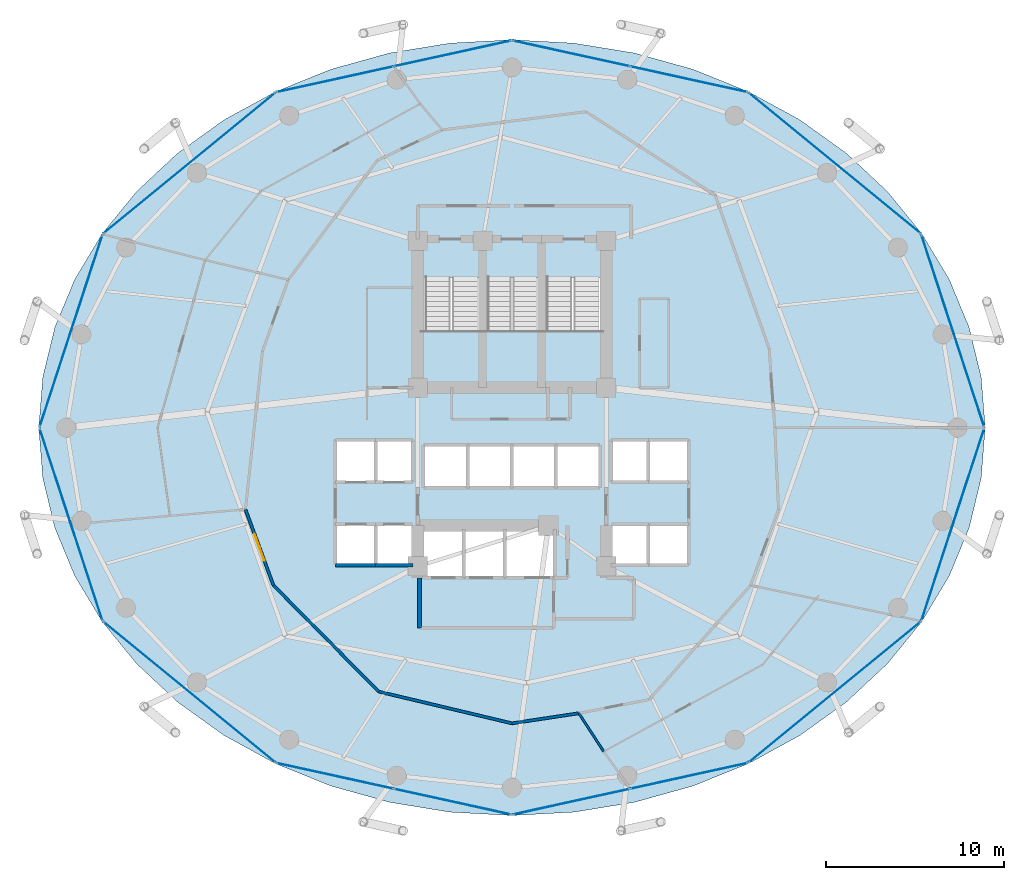
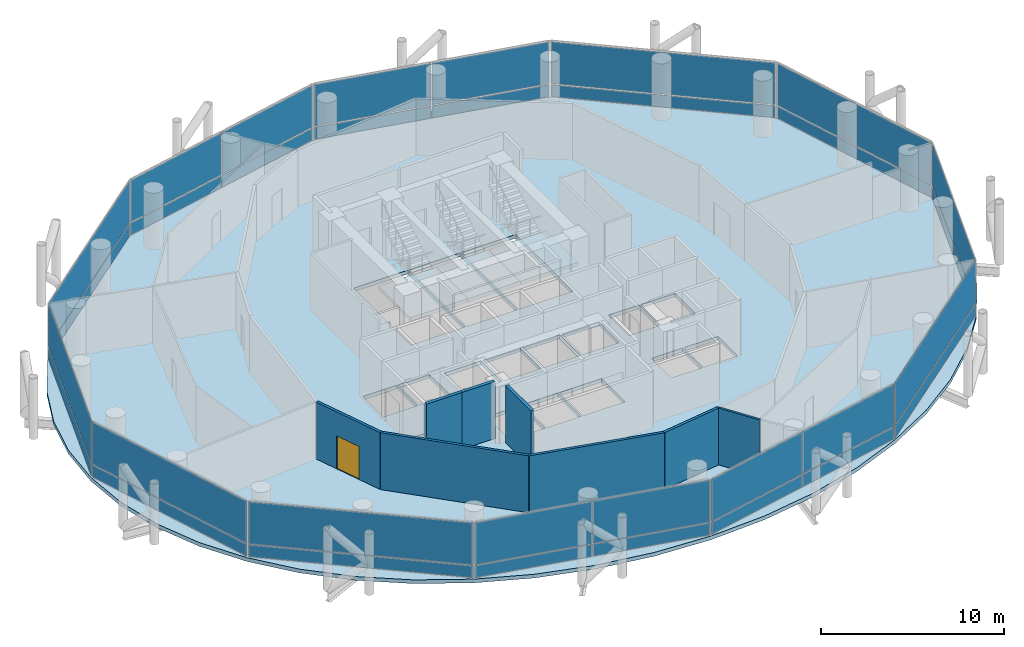
# One storey, part 20 of 24: 32 plates, 8 walls, 4 slabs, 1 door, 1 opening, 15 elements without a shape of their own.
"""IFC4 building model written with IfcOpenShell, lengths in metres."""

from ifc_helpers import new_model, si_unit, direction, frame, frame_2d, origin, origin_2d, place, context, subcontext, project, spatial, polyline, rectangle, outline, extrude, material, layer, layer_set, type_object, element, fill, aggregate, save


model = new_model("IFC4")

# Units and contexts
model_context = context("Model", 3, precision=1e-05, world=origin(), true_north=direction((0.0, 1.0)))
body_context = subcontext(model_context, "Body", "Model", "MODEL_VIEW")
ifc_project = project(units=[si_unit("LENGTHUNIT", "METRE"), si_unit("AREAUNIT", "SQUARE_METRE"), si_unit("VOLUMEUNIT", "CUBIC_METRE"), si_unit("PLANEANGLEUNIT", "RADIAN"), si_unit("MASSUNIT", "GRAM", prefix="KILO")], contexts=[model_context])

# Site, building, storey
site_placement = place(None, origin())
site = spatial("IfcSite", under=ifc_project, at=site_placement, CompositionType="ELEMENT")
building_placement = place(site_placement, origin())
building = spatial("IfcBuilding", under=site, at=building_placement, Name="Nuhasar Tower", CompositionType="ELEMENT")
storey_placement = place(building_placement, frame((0.0, 0.0, 89.85009765625)))
storey = spatial("IfcBuildingStorey", under=building, at=storey_placement, Name="L21", CompositionType="ELEMENT", Elevation=89.85009765625)

# Curtain wall, plate
ifc_material_1 = material(Name="Aluminium 6063-T6", Category="aluminium")
ifc_layer_1 = layer(ifc_material_1, 0.199951171875)
ifc_layer_set_1 = layer_set([ifc_layer_1], Name="Aluminium 6063-T6")
curtain_wall_type = type_object("IfcCurtainWallType", Name="CW-Z1-OFF", PredefinedType="NOTDEFINED", material=ifc_layer_set_1)
curtain_wall_1_placement = place(storey_placement, origin())
curtain_wall_1 = element("IfcCurtainWall", 1, at=curtain_wall_1_placement, inside=storey, type_object=curtain_wall_type, Name="L21 Unitised Curtain Wall 01", PredefinedType="NOTDEFINED")
ifc_material_2 = material(Name="Glass Double Low-E", Category="glass")
ifc_layer_2 = layer(ifc_material_2, 0.028076171875)
ifc_layer_set_2 = layer_set([ifc_layer_2], Name="Glass Double Low-E")
plate_type_1 = type_object("IfcPlateType", Name="CW-PANEL-GLZ", PredefinedType="CURTAIN_PANEL", material=ifc_layer_set_2)
plate_1_placement = place(storey_placement, frame((63.781005859375, 32.239990234375, 0.9326171875), z_axis=(0.0, 0.0, 1.0), x_axis=(-0.310823849997, 0.950467534571, 0.0)))
plate_1 = element("IfcPlate", 2, at=plate_1_placement, type_object=plate_type_1, Name="CW-Z1 panel 1.2", PredefinedType="CURTAIN_PANEL", context=body_context, shape_type="SweptSolid", body=[
    extrude(rectangle(XDim=11.31689453125, YDim=0.028076171875, at=origin_2d()), origin(), (0.0, 0.0, 1.0), 2.802490234375),
])

curtain_wall_2_placement = place(storey_placement, origin())
curtain_wall_2 = element("IfcCurtainWall", 3, at=curtain_wall_2_placement, inside=storey, type_object=curtain_wall_type, Name="L21 Unitised Curtain Wall 02", PredefinedType="NOTDEFINED")
plate_2_placement = place(storey_placement, frame((57.14111328125, 41.66259765625, 0.9326171875), z_axis=(0.0, 0.0, 1.0), x_axis=(-0.773542364946, 0.633744593376, 0.0)))
plate_2 = element("IfcPlate", 4, at=plate_2_placement, type_object=plate_type_1, Name="CW-Z1 panel 1.2", PredefinedType="CURTAIN_PANEL", context=body_context, shape_type="SweptSolid", body=[
    extrude(rectangle(XDim=12.438232421875, YDim=0.028076171875, at=origin_2d()), origin(), (0.0, 0.0, 1.0), 2.802490234375),
])

# Curtain wall, plates
curtain_wall_3_placement = place(storey_placement, origin())
curtain_wall_3 = element("IfcCurtainWall", 5, at=curtain_wall_3_placement, inside=storey, type_object=curtain_wall_type, Name="L21 Unitised Curtain Wall 03", PredefinedType="NOTDEFINED")
plate_3_placement = place(storey_placement, frame((48.944091796875, 46.377197265625, 0.9326171875), z_axis=(0.0, 0.0, 1.0), x_axis=(-0.976746221544, 0.214398737637, 0.0)))
plate_3 = element("IfcPlate", 6, at=plate_3_placement, type_object=plate_type_1, Name="CW-Z1 panel 1.2", PredefinedType="CURTAIN_PANEL", context=body_context, shape_type="SweptSolid", body=[
    extrude(rectangle(XDim=6.70068359375, YDim=0.028076171875, at=origin_2d()), origin(), (0.0, 0.0, 1.0), 2.802490234375),
])
plate_4_placement = place(storey_placement, frame((42.3359375, 47.827880859375, 0.9326171875), z_axis=(0.0, 0.0, 1.0), x_axis=(-0.976746221544, 0.214398737637, 0.0)))
plate_4 = element("IfcPlate", 7, at=plate_4_placement, type_object=plate_type_1, Name="CW-Z1 panel 2.2", PredefinedType="CURTAIN_PANEL", context=body_context, shape_type="SweptSolid", body=[
    extrude(rectangle(XDim=6.70068359375, YDim=0.028076171875, at=origin_2d()), origin(), (0.0, 0.0, 1.0), 2.802490234375),
])

curtain_wall_4_placement = place(storey_placement, origin())
curtain_wall_4 = element("IfcCurtainWall", 8, at=curtain_wall_4_placement, inside=storey, type_object=curtain_wall_type, Name="L21 Unitised Curtain Wall 04", PredefinedType="NOTDEFINED")
plate_5_placement = place(storey_placement, frame((35.6640625, 47.827880859375, 0.9326171875), z_axis=(0.0, 0.0, 1.0), x_axis=(-0.976746221544, -0.214398737637, 0.0)))
plate_5 = element("IfcPlate", 9, at=plate_5_placement, type_object=plate_type_1, Name="CW-Z1 panel 1.2", PredefinedType="CURTAIN_PANEL", context=body_context, shape_type="SweptSolid", body=[
    extrude(rectangle(XDim=6.70068359375, YDim=0.028076171875, at=origin_2d()), origin(), (0.0, 0.0, 1.0), 2.802490234375),
])
plate_6_placement = place(storey_placement, frame((29.055908203125, 46.377197265625, 0.9326171875), z_axis=(0.0, 0.0, 1.0), x_axis=(-0.976746221544, -0.214398737637, 0.0)))
plate_6 = element("IfcPlate", 10, at=plate_6_placement, type_object=plate_type_1, Name="CW-Z1 panel 2.2", PredefinedType="CURTAIN_PANEL", context=body_context, shape_type="SweptSolid", body=[
    extrude(rectangle(XDim=6.70068359375, YDim=0.028076171875, at=origin_2d()), origin(), (0.0, 0.0, 1.0), 2.802490234375),
])

# Curtain wall, plate
curtain_wall_5_placement = place(storey_placement, origin())
curtain_wall_5 = element("IfcCurtainWall", 11, at=curtain_wall_5_placement, inside=storey, type_object=curtain_wall_type, Name="L21 Unitised Curtain Wall 05", PredefinedType="NOTDEFINED")
plate_7_placement = place(storey_placement, frame((20.85888671875, 41.66259765625, 0.9326171875), z_axis=(0.0, 0.0, 1.0), x_axis=(-0.773542364946, -0.633744593376, 0.0)))
plate_7 = element("IfcPlate", 12, at=plate_7_placement, type_object=plate_type_1, Name="CW-Z1 panel 1.2", PredefinedType="CURTAIN_PANEL", context=body_context, shape_type="SweptSolid", body=[
    extrude(rectangle(XDim=12.438232421875, YDim=0.028076171875, at=origin_2d()), origin(), (0.0, 0.0, 1.0), 2.802490234375),
])

curtain_wall_6_placement = place(storey_placement, origin())
curtain_wall_6 = element("IfcCurtainWall", 13, at=curtain_wall_6_placement, inside=storey, type_object=curtain_wall_type, Name="L21 Unitised Curtain Wall 06", PredefinedType="NOTDEFINED")
plate_8_placement = place(storey_placement, frame((14.218994140625, 32.239990234375, 0.9326171875), z_axis=(0.0, 0.0, 1.0), x_axis=(-0.310823849997, -0.950467534571, 0.0)))
plate_8 = element("IfcPlate", 14, at=plate_8_placement, type_object=plate_type_1, Name="CW-Z1 panel 1.2", PredefinedType="CURTAIN_PANEL", context=body_context, shape_type="SweptSolid", body=[
    extrude(rectangle(XDim=11.31689453125, YDim=0.028076171875, at=origin_2d()), origin(), (0.0, 0.0, 1.0), 2.802490234375),
])

curtain_wall_7_placement = place(storey_placement, origin())
curtain_wall_7 = element("IfcCurtainWall", 15, at=curtain_wall_7_placement, inside=storey, type_object=curtain_wall_type, Name="L21 Unitised Curtain Wall 07", PredefinedType="NOTDEFINED")
plate_9_placement = place(storey_placement, frame((14.218994140625, 21.360107421875, 0.9326171875), z_axis=(0.0, 0.0, 1.0), x_axis=(0.310823849997, -0.950467534571, 0.0)))
plate_9 = element("IfcPlate", 16, at=plate_9_placement, type_object=plate_type_1, Name="CW-Z1 panel 1.2", PredefinedType="CURTAIN_PANEL", context=body_context, shape_type="SweptSolid", body=[
    extrude(rectangle(XDim=11.31689453125, YDim=0.028076171875, at=origin_2d()), origin(), (0.0, 0.0, 1.0), 2.802490234375),
])

curtain_wall_8_placement = place(storey_placement, origin())
curtain_wall_8 = element("IfcCurtainWall", 17, at=curtain_wall_8_placement, inside=storey, type_object=curtain_wall_type, Name="L21 Unitised Curtain Wall 08", PredefinedType="NOTDEFINED")
plate_10_placement = place(storey_placement, frame((20.85888671875, 11.9375, 0.9326171875), z_axis=(0.0, 0.0, 1.0), x_axis=(0.773542364946, -0.633744593376, 0.0)))
plate_10 = element("IfcPlate", 18, at=plate_10_placement, type_object=plate_type_1, Name="CW-Z1 panel 1.2", PredefinedType="CURTAIN_PANEL", context=body_context, shape_type="SweptSolid", body=[
    extrude(rectangle(XDim=12.438232421875, YDim=0.028076171875, at=origin_2d()), origin(), (0.0, 0.0, 1.0), 2.802490234375),
])

# Curtain wall, plates
curtain_wall_9_placement = place(storey_placement, origin())
curtain_wall_9 = element("IfcCurtainWall", 19, at=curtain_wall_9_placement, inside=storey, type_object=curtain_wall_type, Name="L21 Unitised Curtain Wall 09", PredefinedType="NOTDEFINED")
plate_11_placement = place(storey_placement, frame((29.055908203125, 7.22265625, 0.9326171875), z_axis=(0.0, 0.0, 1.0), x_axis=(0.976746221544, -0.214398737637, 0.0)))
plate_11 = element("IfcPlate", 20, at=plate_11_placement, type_object=plate_type_1, Name="CW-Z1 panel 1.2", PredefinedType="CURTAIN_PANEL", context=body_context, shape_type="SweptSolid", body=[
    extrude(rectangle(XDim=6.70068359375, YDim=0.028076171875, at=origin_2d()), origin(), (0.0, 0.0, 1.0), 2.802490234375),
])
plate_12_placement = place(storey_placement, frame((35.6640625, 5.772216796875, 0.9326171875), z_axis=(0.0, 0.0, 1.0), x_axis=(0.976746221544, -0.214398737637, 0.0)))
plate_12 = element("IfcPlate", 21, at=plate_12_placement, type_object=plate_type_1, Name="CW-Z1 panel 2.2", PredefinedType="CURTAIN_PANEL", context=body_context, shape_type="SweptSolid", body=[
    extrude(rectangle(XDim=6.70068359375, YDim=0.028076171875, at=origin_2d()), origin(), (0.0, 0.0, 1.0), 2.802490234375),
])

curtain_wall_10_placement = place(storey_placement, origin())
curtain_wall_10 = element("IfcCurtainWall", 22, at=curtain_wall_10_placement, inside=storey, type_object=curtain_wall_type, Name="L21 Unitised Curtain Wall 10", PredefinedType="NOTDEFINED")
plate_13_placement = place(storey_placement, frame((42.3359375, 5.772216796875, 0.9326171875), z_axis=(0.0, 0.0, 1.0), x_axis=(0.976746221544, 0.214398737637, 0.0)))
plate_13 = element("IfcPlate", 23, at=plate_13_placement, type_object=plate_type_1, Name="CW-Z1 panel 1.2", PredefinedType="CURTAIN_PANEL", context=body_context, shape_type="SweptSolid", body=[
    extrude(rectangle(XDim=6.70068359375, YDim=0.028076171875, at=origin_2d()), origin(), (0.0, 0.0, 1.0), 2.802490234375),
])
plate_14_placement = place(storey_placement, frame((48.944091796875, 7.22265625, 0.9326171875), z_axis=(0.0, 0.0, 1.0), x_axis=(0.976746221544, 0.214398737637, 0.0)))
plate_14 = element("IfcPlate", 24, at=plate_14_placement, type_object=plate_type_1, Name="CW-Z1 panel 2.2", PredefinedType="CURTAIN_PANEL", context=body_context, shape_type="SweptSolid", body=[
    extrude(rectangle(XDim=6.70068359375, YDim=0.028076171875, at=origin_2d()), origin(), (0.0, 0.0, 1.0), 2.802490234375),
])

# Curtain wall, plate
curtain_wall_11_placement = place(storey_placement, origin())
curtain_wall_11 = element("IfcCurtainWall", 25, at=curtain_wall_11_placement, inside=storey, type_object=curtain_wall_type, Name="L21 Unitised Curtain Wall 11", PredefinedType="NOTDEFINED")
plate_15_placement = place(storey_placement, frame((57.14111328125, 11.9375, 0.9326171875), z_axis=(0.0, 0.0, 1.0), x_axis=(0.773542364946, 0.633744593376, 0.0)))
plate_15 = element("IfcPlate", 26, at=plate_15_placement, type_object=plate_type_1, Name="CW-Z1 panel 1.2", PredefinedType="CURTAIN_PANEL", context=body_context, shape_type="SweptSolid", body=[
    extrude(rectangle(XDim=12.438232421875, YDim=0.028076171875, at=origin_2d()), origin(), (0.0, 0.0, 1.0), 2.802490234375),
])

curtain_wall_12_placement = place(storey_placement, origin())
curtain_wall_12 = element("IfcCurtainWall", 27, at=curtain_wall_12_placement, inside=storey, type_object=curtain_wall_type, Name="L21 Unitised Curtain Wall 12", PredefinedType="NOTDEFINED")
plate_16_placement = place(storey_placement, frame((63.781005859375, 21.360107421875, 0.9326171875), z_axis=(0.0, 0.0, 1.0), x_axis=(0.310823849997, 0.950467534571, 0.0)))
plate_16 = element("IfcPlate", 28, at=plate_16_placement, type_object=plate_type_1, Name="CW-Z1 panel 1.2", PredefinedType="CURTAIN_PANEL", context=body_context, shape_type="SweptSolid", body=[
    extrude(rectangle(XDim=11.31689453125, YDim=0.028076171875, at=origin_2d()), origin(), (0.0, 0.0, 1.0), 2.802490234375),
])

# Plate
ifc_material_3 = material(Name="Glass Spandrel", Category="glass")
ifc_layer_3 = layer(ifc_material_3, 0.035888671875)
ifc_layer_set_3 = layer_set([ifc_layer_3], Name="Glass Spandrel")
plate_type_2 = type_object("IfcPlateType", Name="CW-PANEL-SPN", PredefinedType="CURTAIN_PANEL", material=ifc_layer_set_3)
plate_17_placement = place(storey_placement, frame((63.781005859375, 32.239990234375, 0.06494140625), z_axis=(0.0, 0.0, 1.0), x_axis=(-0.310823849997, 0.950467534571, 0.0)))
plate_17 = element("IfcPlate", 29, at=plate_17_placement, type_object=plate_type_2, Name="CW-Z1 panel 1.1", PredefinedType="CURTAIN_PANEL", context=body_context, shape_type="SweptSolid", body=[
    extrude(rectangle(XDim=11.31689453125, YDim=0.035888671875, at=origin_2d()), origin(), (0.0, 0.0, 1.0), 0.802490234375),
])

aggregate(curtain_wall_1, [plate_17, plate_1])

plate_18_placement = place(storey_placement, frame((57.14111328125, 41.66259765625, 0.06494140625), z_axis=(0.0, 0.0, 1.0), x_axis=(-0.773542364946, 0.633744593376, 0.0)))
plate_18 = element("IfcPlate", 30, at=plate_18_placement, type_object=plate_type_2, Name="CW-Z1 panel 1.1", PredefinedType="CURTAIN_PANEL", context=body_context, shape_type="SweptSolid", body=[
    extrude(rectangle(XDim=12.438232421875, YDim=0.035888671875, at=origin_2d()), origin(), (0.0, 0.0, 1.0), 0.802490234375),
])

aggregate(curtain_wall_2, [plate_18, plate_2])

plate_19_placement = place(storey_placement, frame((48.944091796875, 46.377197265625, 0.06494140625), z_axis=(0.0, 0.0, 1.0), x_axis=(-0.976746221544, 0.214398737637, 0.0)))
plate_19 = element("IfcPlate", 31, at=plate_19_placement, type_object=plate_type_2, Name="CW-Z1 panel 1.1", PredefinedType="CURTAIN_PANEL", context=body_context, shape_type="SweptSolid", body=[
    extrude(rectangle(XDim=6.70068359375, YDim=0.035888671875, at=origin_2d()), origin(), (0.0, 0.0, 1.0), 0.802490234375),
])

plate_20_placement = place(storey_placement, frame((42.3359375, 47.827880859375, 0.06494140625), z_axis=(0.0, 0.0, 1.0), x_axis=(-0.976746221544, 0.214398737637, 0.0)))
plate_20 = element("IfcPlate", 32, at=plate_20_placement, type_object=plate_type_2, Name="CW-Z1 panel 2.1", PredefinedType="CURTAIN_PANEL", context=body_context, shape_type="SweptSolid", body=[
    extrude(rectangle(XDim=6.70068359375, YDim=0.035888671875, at=origin_2d()), origin(), (0.0, 0.0, 1.0), 0.802490234375),
])

aggregate(curtain_wall_3, [plate_19, plate_3, plate_20, plate_4])

plate_21_placement = place(storey_placement, frame((35.6640625, 47.827880859375, 0.06494140625), z_axis=(0.0, 0.0, 1.0), x_axis=(-0.976746221544, -0.214398737637, 0.0)))
plate_21 = element("IfcPlate", 33, at=plate_21_placement, type_object=plate_type_2, Name="CW-Z1 panel 1.1", PredefinedType="CURTAIN_PANEL", context=body_context, shape_type="SweptSolid", body=[
    extrude(rectangle(XDim=6.70068359375, YDim=0.035888671875, at=origin_2d()), origin(), (0.0, 0.0, 1.0), 0.802490234375),
])

plate_22_placement = place(storey_placement, frame((29.055908203125, 46.377197265625, 0.06494140625), z_axis=(0.0, 0.0, 1.0), x_axis=(-0.976746221544, -0.214398737637, 0.0)))
plate_22 = element("IfcPlate", 34, at=plate_22_placement, type_object=plate_type_2, Name="CW-Z1 panel 2.1", PredefinedType="CURTAIN_PANEL", context=body_context, shape_type="SweptSolid", body=[
    extrude(rectangle(XDim=6.70068359375, YDim=0.035888671875, at=origin_2d()), origin(), (0.0, 0.0, 1.0), 0.802490234375),
])

aggregate(curtain_wall_4, [plate_21, plate_5, plate_22, plate_6])

plate_23_placement = place(storey_placement, frame((20.85888671875, 41.66259765625, 0.06494140625), z_axis=(0.0, 0.0, 1.0), x_axis=(-0.773542364946, -0.633744593376, 0.0)))
plate_23 = element("IfcPlate", 35, at=plate_23_placement, type_object=plate_type_2, Name="CW-Z1 panel 1.1", PredefinedType="CURTAIN_PANEL", context=body_context, shape_type="SweptSolid", body=[
    extrude(rectangle(XDim=12.438232421875, YDim=0.035888671875, at=origin_2d()), origin(), (0.0, 0.0, 1.0), 0.802490234375),
])

aggregate(curtain_wall_5, [plate_23, plate_7])

plate_24_placement = place(storey_placement, frame((14.218994140625, 32.239990234375, 0.06494140625), z_axis=(0.0, 0.0, 1.0), x_axis=(-0.310823849997, -0.950467534571, 0.0)))
plate_24 = element("IfcPlate", 36, at=plate_24_placement, type_object=plate_type_2, Name="CW-Z1 panel 1.1", PredefinedType="CURTAIN_PANEL", context=body_context, shape_type="SweptSolid", body=[
    extrude(rectangle(XDim=11.31689453125, YDim=0.035888671875, at=origin_2d()), origin(), (0.0, 0.0, 1.0), 0.802490234375),
])

aggregate(curtain_wall_6, [plate_24, plate_8])

plate_25_placement = place(storey_placement, frame((14.218994140625, 21.360107421875, 0.06494140625), z_axis=(0.0, 0.0, 1.0), x_axis=(0.310823849997, -0.950467534571, 0.0)))
plate_25 = element("IfcPlate", 37, at=plate_25_placement, type_object=plate_type_2, Name="CW-Z1 panel 1.1", PredefinedType="CURTAIN_PANEL", context=body_context, shape_type="SweptSolid", body=[
    extrude(rectangle(XDim=11.31689453125, YDim=0.035888671875, at=origin_2d()), origin(), (0.0, 0.0, 1.0), 0.802490234375),
])

aggregate(curtain_wall_7, [plate_25, plate_9])

plate_26_placement = place(storey_placement, frame((20.85888671875, 11.9375, 0.06494140625), z_axis=(0.0, 0.0, 1.0), x_axis=(0.773542364946, -0.633744593376, 0.0)))
plate_26 = element("IfcPlate", 38, at=plate_26_placement, type_object=plate_type_2, Name="CW-Z1 panel 1.1", PredefinedType="CURTAIN_PANEL", context=body_context, shape_type="SweptSolid", body=[
    extrude(rectangle(XDim=12.438232421875, YDim=0.035888671875, at=origin_2d()), origin(), (0.0, 0.0, 1.0), 0.802490234375),
])

aggregate(curtain_wall_8, [plate_26, plate_10])

plate_27_placement = place(storey_placement, frame((29.055908203125, 7.22265625, 0.06494140625), z_axis=(0.0, 0.0, 1.0), x_axis=(0.976746221544, -0.214398737637, 0.0)))
plate_27 = element("IfcPlate", 39, at=plate_27_placement, type_object=plate_type_2, Name="CW-Z1 panel 1.1", PredefinedType="CURTAIN_PANEL", context=body_context, shape_type="SweptSolid", body=[
    extrude(rectangle(XDim=6.70068359375, YDim=0.035888671875, at=origin_2d()), origin(), (0.0, 0.0, 1.0), 0.802490234375),
])

plate_28_placement = place(storey_placement, frame((35.6640625, 5.772216796875, 0.06494140625), z_axis=(0.0, 0.0, 1.0), x_axis=(0.976746221544, -0.214398737637, 0.0)))
plate_28 = element("IfcPlate", 40, at=plate_28_placement, type_object=plate_type_2, Name="CW-Z1 panel 2.1", PredefinedType="CURTAIN_PANEL", context=body_context, shape_type="SweptSolid", body=[
    extrude(rectangle(XDim=6.70068359375, YDim=0.035888671875, at=origin_2d()), origin(), (0.0, 0.0, 1.0), 0.802490234375),
])

aggregate(curtain_wall_9, [plate_27, plate_11, plate_28, plate_12])

plate_29_placement = place(storey_placement, frame((42.3359375, 5.772216796875, 0.06494140625), z_axis=(0.0, 0.0, 1.0), x_axis=(0.976746221544, 0.214398737637, 0.0)))
plate_29 = element("IfcPlate", 41, at=plate_29_placement, type_object=plate_type_2, Name="CW-Z1 panel 1.1", PredefinedType="CURTAIN_PANEL", context=body_context, shape_type="SweptSolid", body=[
    extrude(rectangle(XDim=6.70068359375, YDim=0.035888671875, at=origin_2d()), origin(), (0.0, 0.0, 1.0), 0.802490234375),
])

plate_30_placement = place(storey_placement, frame((48.944091796875, 7.22265625, 0.06494140625), z_axis=(0.0, 0.0, 1.0), x_axis=(0.976746221544, 0.214398737637, 0.0)))
plate_30 = element("IfcPlate", 42, at=plate_30_placement, type_object=plate_type_2, Name="CW-Z1 panel 2.1", PredefinedType="CURTAIN_PANEL", context=body_context, shape_type="SweptSolid", body=[
    extrude(rectangle(XDim=6.70068359375, YDim=0.035888671875, at=origin_2d()), origin(), (0.0, 0.0, 1.0), 0.802490234375),
])

aggregate(curtain_wall_10, [plate_29, plate_13, plate_30, plate_14])

plate_31_placement = place(storey_placement, frame((57.14111328125, 11.9375, 0.06494140625), z_axis=(0.0, 0.0, 1.0), x_axis=(0.773542364946, 0.633744593376, 0.0)))
plate_31 = element("IfcPlate", 43, at=plate_31_placement, type_object=plate_type_2, Name="CW-Z1 panel 1.1", PredefinedType="CURTAIN_PANEL", context=body_context, shape_type="SweptSolid", body=[
    extrude(rectangle(XDim=12.438232421875, YDim=0.035888671875, at=origin_2d()), origin(), (0.0, 0.0, 1.0), 0.802490234375),
])

aggregate(curtain_wall_11, [plate_31, plate_15])

plate_32_placement = place(storey_placement, frame((63.781005859375, 21.360107421875, 0.06494140625), z_axis=(0.0, 0.0, 1.0), x_axis=(0.310823849997, 0.950467534571, 0.0)))
plate_32 = element("IfcPlate", 44, at=plate_32_placement, type_object=plate_type_2, Name="CW-Z1 panel 1.1", PredefinedType="CURTAIN_PANEL", context=body_context, shape_type="SweptSolid", body=[
    extrude(rectangle(XDim=11.31689453125, YDim=0.035888671875, at=origin_2d()), origin(), (0.0, 0.0, 1.0), 0.802490234375),
])

aggregate(curtain_wall_12, [plate_32, plate_16])

# Stair, slab
ifc_material_4 = material(Name="Concrete C45/55", Category="concrete")
stair_type_1 = type_object("IfcStairType", Name="STR-ST-01-2F-24R-1688", PredefinedType="HALF_TURN_STAIR", material=ifc_material_4)
stair_1_placement = place(storey_placement, origin())
stair_1 = element("IfcStair", 45, at=stair_1_placement, inside=storey, type_object=stair_type_1, Name="L21 Exit Stair ST-01", PredefinedType="HALF_TURN_STAIR")
ifc_layer_4 = layer(ifc_material_4, 0.239990234375)
ifc_layer_set_4 = layer_set([ifc_layer_4], Name="Concrete C45/55")
slab_type_1 = type_object("IfcSlabType", Name="SLB-STAIR-LND-240", PredefinedType="LANDING", material=ifc_layer_set_4)
slab_1_placement = place(storey_placement, frame((0.0, 0.0, 1.784912109375)))
slab_1 = element("IfcSlab", 46, at=slab_1_placement, type_object=slab_type_1, Name="ST-01 landing 1", PredefinedType="LANDING", context=body_context, shape_type="SweptSolid", body=[
    extrude(outline(polyline([(33.699951171875, 28.75), (37.35009765625, 28.75), (37.35009765625, 32.239990234375), (33.699951171875, 32.239990234375), (33.699951171875, 28.75)])), origin(), (0.0, 0.0, 1.0), 0.239990234375),
])
aggregate(stair_1, [slab_1])

stair_type_2 = type_object("IfcStairType", Name="STR-ST-03-2F-24R-1688", PredefinedType="HALF_TURN_STAIR", material=ifc_material_4)
stair_2_placement = place(storey_placement, origin())
stair_2 = element("IfcStair", 47, at=stair_2_placement, inside=storey, type_object=stair_type_2, Name="L21 Exit Stair ST-03", PredefinedType="HALF_TURN_STAIR")
slab_2_placement = place(storey_placement, frame((0.0, 0.0, 1.784912109375)))
slab_2 = element("IfcSlab", 48, at=slab_2_placement, type_object=slab_type_1, Name="ST-03 landing 1", PredefinedType="LANDING", context=body_context, shape_type="SweptSolid", body=[
    extrude(outline(polyline([(37.35009765625, 28.75), (40.64990234375, 28.75), (40.64990234375, 32.239990234375), (37.35009765625, 32.239990234375), (37.35009765625, 28.75)])), origin(), (0.0, 0.0, 1.0), 0.239990234375),
])
aggregate(stair_2, [slab_2])

stair_type_3 = type_object("IfcStairType", Name="STR-ST-02-2F-24R-1688", PredefinedType="HALF_TURN_STAIR", material=ifc_material_4)
stair_3_placement = place(storey_placement, origin())
stair_3 = element("IfcStair", 49, at=stair_3_placement, inside=storey, type_object=stair_type_3, Name="L21 Exit Stair ST-02", PredefinedType="HALF_TURN_STAIR")
slab_3_placement = place(storey_placement, frame((0.0, 0.0, 1.784912109375)))
slab_3 = element("IfcSlab", 50, at=slab_3_placement, type_object=slab_type_1, Name="ST-02 landing 1", PredefinedType="LANDING", context=body_context, shape_type="SweptSolid", body=[
    extrude(outline(polyline([(40.64990234375, 28.75), (44.300048828125, 28.75), (44.300048828125, 32.239990234375), (40.64990234375, 32.239990234375), (40.64990234375, 28.75)])), origin(), (0.0, 0.0, 1.0), 0.239990234375),
])
aggregate(stair_3, [slab_3])

# Slab
ifc_layer_5 = layer(ifc_material_4, 0.25)
ifc_layer_set_5 = layer_set([ifc_layer_5], Name="Concrete C45/55")
slab_type_2 = type_object("IfcSlabType", Name="SLB-Z1B-250", PredefinedType="FLOOR", material=ifc_layer_set_5)
slab_4_placement = place(storey_placement, frame((0.0, 0.0, -0.25)))
element("IfcSlab", 51, at=slab_4_placement, inside=storey, type_object=slab_type_2, Name="L21 Structural Slab", PredefinedType="FLOOR", context=body_context, shape_type="SweptSolid", body=[
    extrude(outline(polyline([(65.60009765625, 26.800048828125), (65.3720703125, 29.64501953125), (64.694091796875, 32.44189453125), (63.574951171875, 35.14208984375), (62.035888671875, 37.699951171875), (60.10302734375, 40.071044921875), (57.80908203125, 42.215087890625), (55.193115234375, 44.094970703125), (52.300048828125, 45.678955078125), (49.178955078125, 46.94091796875), (45.885009765625, 47.85693359375), (42.471923828125, 48.4130859375), (39.0, 48.60009765625), (35.528076171875, 48.4130859375), (32.114990234375, 47.85693359375), (28.821044921875, 46.94091796875), (25.699951171875, 45.678955078125), (22.806884765625, 44.094970703125), (20.19091796875, 42.215087890625), (17.89697265625, 40.071044921875), (15.964111328125, 37.699951171875), (14.425048828125, 35.14208984375), (13.305908203125, 32.44189453125), (12.6279296875, 29.64501953125), (12.39990234375, 26.800048828125), (12.6279296875, 23.955078125), (13.305908203125, 21.157958984375), (14.425048828125, 18.4580078125), (15.964111328125, 15.89990234375), (17.89697265625, 13.529052734375), (20.19091796875, 11.385009765625), (22.806884765625, 9.5048828125), (25.699951171875, 7.9208984375), (28.821044921875, 6.658935546875), (32.114990234375, 5.742919921875), (35.528076171875, 5.18701171875), (39.0, 5.0), (42.471923828125, 5.18701171875), (45.885009765625, 5.742919921875), (49.178955078125, 6.658935546875), (52.300048828125, 7.9208984375), (55.193115234375, 9.5048828125), (57.80908203125, 11.385009765625), (60.10302734375, 13.529052734375), (62.035888671875, 15.89990234375), (63.574951171875, 18.4580078125), (64.694091796875, 21.157958984375), (65.3720703125, 23.955078125), (65.60009765625, 26.800048828125)]), holes=[polyline([(33.8798828125, 35.25), (37.300048828125, 35.25), (37.300048828125, 29.0), (33.8798828125, 29.0), (33.8798828125, 35.25)]), polyline([(37.39990234375, 35.25), (40.60009765625, 35.25), (40.60009765625, 29.0), (37.39990234375, 29.0), (37.39990234375, 35.25)]), polyline([(40.699951171875, 35.25), (44.1201171875, 35.25), (44.1201171875, 29.0), (40.699951171875, 29.0), (40.699951171875, 35.25)]), polyline([(29.14990234375, 26.050048828125), (31.300048828125, 26.050048828125), (31.300048828125, 23.800048828125), (29.14990234375, 23.800048828125), (29.14990234375, 26.050048828125)]), polyline([(31.39990234375, 26.050048828125), (33.35009765625, 26.050048828125), (33.35009765625, 23.800048828125), (31.39990234375, 23.800048828125), (31.39990234375, 26.050048828125)]), polyline([(29.14990234375, 21.300048828125), (31.300048828125, 21.300048828125), (31.300048828125, 19.14990234375), (29.14990234375, 19.14990234375), (29.14990234375, 21.300048828125)]), polyline([(31.39990234375, 21.300048828125), (33.35009765625, 21.300048828125), (33.35009765625, 19.14990234375), (31.39990234375, 19.14990234375), (31.39990234375, 21.300048828125)]), polyline([(44.64990234375, 26.050048828125), (46.60009765625, 26.050048828125), (46.60009765625, 23.800048828125), (44.64990234375, 23.800048828125), (44.64990234375, 26.050048828125)]), polyline([(46.699951171875, 26.050048828125), (48.85009765625, 26.050048828125), (48.85009765625, 23.800048828125), (46.699951171875, 23.800048828125), (46.699951171875, 26.050048828125)]), polyline([(44.64990234375, 21.300048828125), (46.60009765625, 21.300048828125), (46.60009765625, 19.14990234375), (44.64990234375, 19.14990234375), (44.64990234375, 21.300048828125)]), polyline([(46.699951171875, 21.300048828125), (48.85009765625, 21.300048828125), (48.85009765625, 19.14990234375), (46.699951171875, 19.14990234375), (46.699951171875, 21.300048828125)]), polyline([(34.10009765625, 25.75), (36.43994140625, 25.75), (36.43994140625, 23.5), (34.10009765625, 23.5), (34.10009765625, 25.75)]), polyline([(36.580078125, 25.75), (38.919921875, 25.75), (38.919921875, 23.5), (36.580078125, 23.5), (36.580078125, 25.75)]), polyline([(39.06005859375, 25.75), (41.39990234375, 25.75), (41.39990234375, 23.5), (39.06005859375, 23.5), (39.06005859375, 25.75)]), polyline([(41.5400390625, 25.75), (43.8798828125, 25.75), (43.8798828125, 23.5), (41.5400390625, 23.5), (41.5400390625, 25.75)]), polyline([(34.050048828125, 21.0), (36.25, 21.0), (36.25, 18.449951171875), (34.050048828125, 18.449951171875), (34.050048828125, 21.0)]), polyline([(36.35009765625, 21.0), (38.550048828125, 21.0), (38.550048828125, 18.449951171875), (36.35009765625, 18.449951171875), (36.35009765625, 21.0)]), polyline([(38.64990234375, 21.0), (41.320068359375, 21.0), (41.320068359375, 18.449951171875), (38.64990234375, 18.449951171875), (38.64990234375, 21.0)])]), origin(), (0.0, 0.0, 1.0), 0.25),
])

# Wall, opening, door
ifc_material_5 = material(Name="Gypsum Board", Category="gypsum")
ifc_layer_6 = layer(ifc_material_5, 0.159912109375)
ifc_layer_set_6 = layer_set([ifc_layer_6], Name="Gypsum Board")
wall_type_1 = type_object("IfcWallType", Name="WL-CORR-160", PredefinedType="PARTITIONING", material=ifc_layer_set_6)
wall_1_placement = place(storey_placement, frame((25.591064453125, 17.93896484375, 0.0), z_axis=(0.0, 0.0, 1.0), x_axis=(-0.345762592588, 0.938322028712, 0.0)))
wall_1 = element("IfcWall", 52, at=wall_1_placement, inside=storey, type_object=wall_type_1, Name="L21 Interior Partition CORR-26", PredefinedType="PARTITIONING", context=body_context, shape_type="SweptSolid", body=[
    extrude(rectangle(XDim=4.546630859375, YDim=0.159912109375, at=frame_2d((2.2734375, 0.0))), origin(), (0.0, 0.0, 1.0), 3.7998046875),
])
opening_placement = place(wall_1_placement, frame((1.472900390625, 0.0, 0.0)))
opening = element("IfcOpeningElement", 53, at=opening_placement, cuts=wall_1, Name="Opening DC-01", PredefinedType="OPENING", context=body_context, shape_type="SweptSolid", body=[
    extrude(rectangle(XDim=1.60009765625, YDim=2.199951171875, at=frame_2d((0.800048828125, 1.10009765625))), frame((0.0, 0.08984375, 0.0), z_axis=(0.0, -1.0, 0.0), x_axis=(1.0, 0.0, 0.0)), (0.0, 0.0, 1.0), 0.179931640625),
])
ifc_material_6 = material(Name="Steel S355", Category="steel")
door_type = type_object("IfcDoorType", Name="DR-CORR-FD60-1600", OperationType="DOUBLE_DOOR_SINGLE_SWING", PredefinedType="DOOR", material=ifc_material_6)
door_placement = place(opening_placement, origin())
door = element("IfcDoor", 54, at=door_placement, inside=storey, type_object=door_type, Name="L21 Consular Operations Hall Entry Door", OperationType="DOUBLE_DOOR_SINGLE_SWING", OverallHeight=2.199951171875, OverallWidth=1.60009765625, PredefinedType="DOOR", context=body_context, shape_type="SweptSolid", body=[
    extrude(rectangle(XDim=1.60009765625, YDim=2.199951171875, at=frame_2d((0.800048828125, 1.10009765625))), frame((0.0, 0.02490234375, 0.0), z_axis=(0.0, -1.0, 0.0), x_axis=(1.0, 0.0, 0.0)), (0.0, 0.0, 1.0), 0.050048828125),
])
fill(opening, door)

# Walls
wall_2_placement = place(storey_placement, frame((25.591064453125, 17.93896484375, 0.0), z_axis=(0.0, 0.0, 1.0), x_axis=(0.703879427374, -0.71031947159, 0.0)))
element("IfcWall", 55, at=wall_2_placement, inside=storey, type_object=wall_type_1, Name="L21 Interior Partition CORR-28", PredefinedType="PARTITIONING", context=body_context, shape_type="SweptSolid", body=[
    extrude(rectangle(XDim=8.416015625, YDim=0.159912109375, at=frame_2d((4.2080078125, 0.0))), origin(), (0.0, 0.0, 1.0), 3.7998046875),
])
wall_3_placement = place(storey_placement, frame((31.514892578125, 11.9609375, 0.0), z_axis=(0.0, 0.0, 1.0), x_axis=(0.972840250297, -0.231477531097, 0.0)))
element("IfcWall", 56, at=wall_3_placement, inside=storey, type_object=wall_type_1, Name="L21 Interior Partition CORR-32", PredefinedType="PARTITIONING", context=body_context, shape_type="SweptSolid", body=[
    extrude(rectangle(XDim=7.694091796875, YDim=0.159912109375, at=frame_2d((3.84716796875, 0.0))), origin(), (0.0, 0.0, 1.0), 3.7998046875),
])
wall_4_placement = place(storey_placement, frame((39.0, 10.179931640625, 0.0), z_axis=(0.0, 0.0, 1.0), x_axis=(0.988841440964, 0.148971824959, 0.0)))
element("IfcWall", 57, at=wall_4_placement, inside=storey, type_object=wall_type_1, Name="L21 Interior Partition CORR-36", PredefinedType="PARTITIONING", context=body_context, shape_type="SweptSolid", body=[
    extrude(rectangle(XDim=3.800537109375, YDim=0.159912109375, at=frame_2d((1.900390625, 0.0))), origin(), (0.0, 0.0, 1.0), 3.7998046875),
])
ifc_layer_7 = layer(ifc_material_4, 0.199951171875)
ifc_layer_set_7 = layer_set([ifc_layer_7], Name="Concrete C45/55")
wall_type_2 = type_object("IfcWallType", Name="WL-LOBBY-200", PredefinedType="SOLIDWALL", material=ifc_layer_set_7)
wall_5_placement = place(storey_placement, frame((33.800048828125, 15.550048828125, 0.0), z_axis=(0.0, 0.0, 1.0), x_axis=(0.0, 1.0, 0.0)))
element("IfcWall", 58, at=wall_5_placement, inside=storey, type_object=wall_type_2, Name="L21 Interior Partition FFL-W", PredefinedType="SOLIDWALL", context=body_context, shape_type="SweptSolid", body=[
    extrude(rectangle(XDim=2.800048828125, YDim=0.199951171875, at=frame_2d((1.39990234375, 0.0))), origin(), (0.0, 0.0, 1.0), 3.7998046875),
])
ifc_layer_8 = layer(ifc_material_5, 0.125)
ifc_layer_set_8 = layer_set([ifc_layer_8], Name="Gypsum Board")
wall_type_3 = type_object("IfcWallType", Name="WL-PART-125", PredefinedType="PARTITIONING", material=ifc_layer_set_8)
wall_6_placement = place(storey_placement, frame((42.758056640625, 10.74609375, 0.0), z_axis=(0.0, 0.0, 1.0), x_axis=(0.545165828581, -0.838328228886, 0.0)))
element("IfcWall", 59, at=wall_6_placement, inside=storey, type_object=wall_type_3, Name="L21 Interior Partition ORAD-38-S1", PredefinedType="PARTITIONING", context=body_context, shape_type="SweptSolid", body=[
    extrude(rectangle(XDim=2.5625, YDim=0.125, at=frame_2d((1.28125, 0.0))), origin(), (0.0, 0.0, 1.0), 3.7998046875),
])
ifc_layer_9 = layer(ifc_material_4, 0.199951171875)
ifc_layer_set_9 = layer_set([ifc_layer_9], Name="Concrete C45/55")
wall_type_4 = type_object("IfcWallType", Name="WL-SHAFT-200", PredefinedType="SOLIDWALL", material=ifc_layer_set_9)
wall_7_placement = place(storey_placement, frame((29.070068359375, 19.070068359375, 0.0), z_axis=(0.0, 0.0, 1.0), x_axis=(1.0, 0.0, 0.0)))
element("IfcWall", 60, at=wall_7_placement, inside=storey, type_object=wall_type_4, Name="L21 Interior Partition SHF-PL-L03-S", PredefinedType="SOLIDWALL", context=body_context, shape_type="SweptSolid", body=[
    extrude(rectangle(XDim=2.309814453125, YDim=0.199951171875, at=frame_2d((1.15478515625, 0.0))), origin(), (0.0, 0.0, 1.0), 3.7998046875),
])
wall_8_placement = place(storey_placement, frame((31.320068359375, 19.070068359375, 0.0), z_axis=(0.0, 0.0, 1.0), x_axis=(1.0, 0.0, 0.0)))
element("IfcWall", 61, at=wall_8_placement, inside=storey, type_object=wall_type_4, Name="L21 Interior Partition SHF-PL-L04-S", PredefinedType="SOLIDWALL", context=body_context, shape_type="SweptSolid", body=[
    extrude(rectangle(XDim=2.10986328125, YDim=0.199951171875, at=frame_2d((1.054931640625, 0.0))), origin(), (0.0, 0.0, 1.0), 3.7998046875),
])

save(model, "model.ifc")
